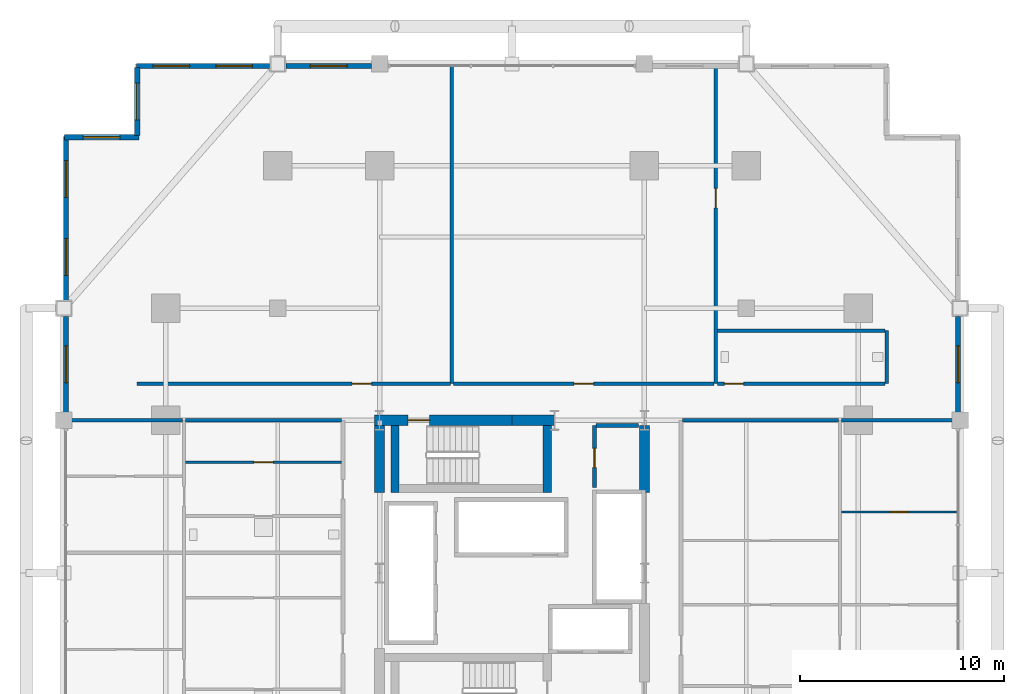
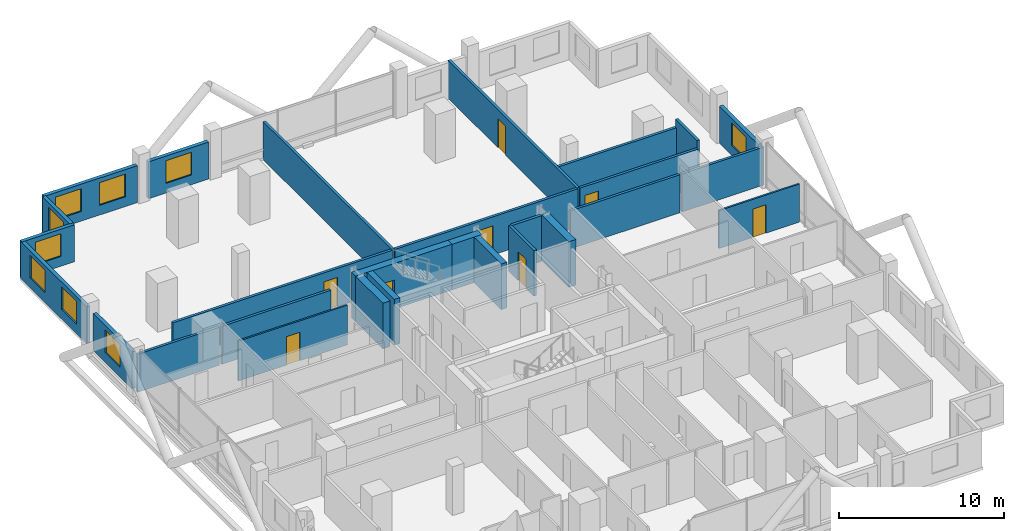
# One storey, part 24 of 27: 28 walls, 9 windows, 8 doors, 17 openings.
"""IFC4 building model written with IfcOpenShell, lengths in metres."""

from ifc_helpers import new_model, si_unit, direction, frame, frame_2d, origin, place, context, subcontext, project, spatial, rectangle, extrude, material, layer, layer_set, type_object, element, fill, save


model = new_model("IFC4")

# Units and contexts
model_context = context("Model", 3, precision=1e-05, world=origin(), true_north=direction((0.0, 1.0)))
body_context = subcontext(model_context, "Body", "Model", "MODEL_VIEW")
ifc_project = project(units=[si_unit("LENGTHUNIT", "METRE"), si_unit("AREAUNIT", "SQUARE_METRE"), si_unit("VOLUMEUNIT", "CUBIC_METRE"), si_unit("PLANEANGLEUNIT", "RADIAN"), si_unit("MASSUNIT", "GRAM", prefix="KILO")], contexts=[model_context])

# Site, building, storey
site_placement = place(None, origin())
site = spatial("IfcSite", under=ifc_project, at=site_placement, CompositionType="ELEMENT")
building_placement = place(site_placement, origin())
building = spatial("IfcBuilding", under=site, at=building_placement, Name="Barlavira Tower and Art Museum", CompositionType="ELEMENT")
storey_placement = place(building_placement, frame((0.0, 0.0, 50.39990234375)))
storey = spatial("IfcBuildingStorey", under=building, at=storey_placement, Name="L11", CompositionType="ELEMENT", Elevation=50.39990234375)

# Wall, opening, door
ifc_material_1 = material(Name="Gypsum acoustic stud partition", Category="gypsum")
ifc_layer_1 = layer(ifc_material_1, 0.1201171875, Name="Gypsum acoustic stud partition")
ifc_layer_set_1 = layer_set([ifc_layer_1], Name="Gypsum acoustic stud partition")
wall_type_1 = type_object("IfcWallType", Name="Apartment Internal Acoustic Partition 120", PredefinedType="PARTITIONING", material=ifc_layer_set_1)
wall_1_placement = place(storey_placement, frame((16.179931640625, 3.0, 0.0), z_axis=(0.0, 0.0, 1.0), x_axis=(1.0, 0.0, 0.0)))
wall_1 = element("IfcWall", 1, at=wall_1_placement, inside=storey, type_object=wall_type_1, Name="L11 Partition Wall 54", PredefinedType="PARTITIONING", context=body_context, shape_type="SweptSolid", body=[
    extrude(rectangle(XDim=5.64013671875, YDim=0.1201171875, at=frame_2d((2.820068359375, 0.0))), origin(), (0.0, 0.0, 1.0), 2.816162109375),
])
opening_1_placement = place(wall_1_placement, frame((2.3701171875, 0.0, 0.0)))
opening_1 = element("IfcOpeningElement", 2, at=opening_1_placement, cuts=wall_1, Name="Opening D-01", PredefinedType="OPENING", context=body_context, shape_type="SweptSolid", body=[
    extrude(rectangle(XDim=0.89990234375, YDim=2.10009765625, at=frame_2d((0.449951171875, 1.050048828125))), frame((0.0, 0.070068359375, 0.0), z_axis=(0.0, -1.0, 0.0), x_axis=(1.0, 0.0, 0.0)), (0.0, 0.0, 1.0), 0.14013671875),
])
ifc_material_2 = material(Name="Engineered coastal hardwood", Category="wood")
door_type_1 = type_object("IfcDoorType", Name="Internal Bedroom Timber Flush Door 900x2100", OperationType="NOTDEFINED", PredefinedType="DOOR", material=ifc_material_2)
door_1_placement = place(opening_1_placement, origin())
door_1 = element("IfcDoor", 3, at=door_1_placement, inside=storey, type_object=door_type_1, Name="Apartment E1 Bedroom 2 Door", OperationType="SINGLE_SWING_LEFT", OverallHeight=2.10009765625, OverallWidth=0.89990234375, PredefinedType="DOOR", context=body_context, shape_type="SweptSolid", body=[
    extrude(rectangle(XDim=0.89990234375, YDim=2.10009765625, at=frame_2d((0.449951171875, 1.050048828125))), frame((0.0, 0.02490234375, 0.0), z_axis=(0.0, -1.0, 0.0), x_axis=(1.0, 0.0, 0.0)), (0.0, 0.0, 1.0), 0.050048828125),
])
fill(opening_1, door_1)

wall_2_placement = place(storey_placement, frame((-16.02001953125, 5.449951171875, 0.0), z_axis=(0.0, 0.0, 1.0), x_axis=(1.0, 0.0, 0.0)))
wall_2 = element("IfcWall", 4, at=wall_2_placement, inside=storey, type_object=wall_type_1, Name="L11 Partition Wall 56", PredefinedType="PARTITIONING", context=body_context, shape_type="SweptSolid", body=[
    extrude(rectangle(XDim=7.64013671875, YDim=0.1201171875, at=frame_2d((3.820068359375, 0.0))), origin(), (0.0, 0.0, 1.0), 2.947998046875),
])
opening_2_placement = place(wall_2_placement, frame((3.344970703125, 0.0, 0.0)))
opening_2 = element("IfcOpeningElement", 5, at=opening_2_placement, cuts=wall_2, Name="Opening D-02", PredefinedType="OPENING", context=body_context, shape_type="SweptSolid", body=[
    extrude(rectangle(XDim=0.949951171875, YDim=2.10009765625, at=frame_2d((0.47509765625, 1.050048828125))), frame((0.0, 0.070068359375, 0.0), z_axis=(0.0, -1.0, 0.0), x_axis=(1.0, 0.0, 0.0)), (0.0, 0.0, 1.0), 0.14013671875),
])
door_type_2 = type_object("IfcDoorType", Name="Living and Salon Glazed-Leaf Door 950x2100", OperationType="NOTDEFINED", PredefinedType="DOOR", material=ifc_material_2)
door_2_placement = place(opening_2_placement, origin())
door_2 = element("IfcDoor", 6, at=door_2_placement, inside=storey, type_object=door_type_2, Name="Apartment W2 Kitchen Door", OperationType="SINGLE_SWING_RIGHT", OverallHeight=2.10009765625, OverallWidth=0.949951171875, PredefinedType="DOOR", context=body_context, shape_type="SweptSolid", body=[
    extrude(rectangle(XDim=0.949951171875, YDim=2.10009765625, at=frame_2d((0.47509765625, 1.050048828125))), frame((0.0, 0.02490234375, 0.0), z_axis=(0.0, -1.0, 0.0), x_axis=(1.0, 0.0, 0.0)), (0.0, 0.0, 1.0), 0.050048828125),
])
fill(opening_2, door_2)

ifc_material_3 = material(Name="Concrete C60", Category="concrete")
ifc_layer_2 = layer(ifc_material_3, 0.5, Name="Concrete C60")
ifc_layer_set_2 = layer_set([ifc_layer_2], Name="Concrete C60")
wall_type_2 = type_object("IfcWallType", Name="Core Structural Shear Wall 500 Concrete C60", PredefinedType="SHEAR", material=ifc_layer_set_2)
wall_3_placement = place(storey_placement, frame((-6.75, 7.5, 0.0), z_axis=(0.0, 0.0, 1.0), x_axis=(1.0, 0.0, 0.0)))
wall_3 = element("IfcWall", 7, at=wall_3_placement, inside=storey, type_object=wall_type_2, Name="L11 Core Shear Wall CS-NW", PredefinedType="SHEAR", context=body_context, shape_type="SweptSolid", body=[
    extrude(rectangle(XDim=6.75, YDim=0.5, at=frame_2d((3.375, 0.0))), origin(), (0.0, 0.0, 1.0), 3.380126953125),
])
opening_3_placement = place(wall_3_placement, frame((1.64990234375, 0.0, 0.0)))
opening_3 = element("IfcOpeningElement", 8, at=opening_3_placement, cuts=wall_3, Name="Opening FD-90", PredefinedType="OPENING", context=body_context, shape_type="SweptSolid", body=[
    extrude(rectangle(XDim=1.050048828125, YDim=2.14990234375, at=frame_2d((0.52490234375, 1.074951171875))), frame((0.0, 0.260009765625, 0.0), z_axis=(0.0, -1.0, 0.0), x_axis=(1.0, 0.0, 0.0)), (0.0, 0.0, 1.0), 0.52001953125),
])
ifc_material_4 = material(Name="Brushed stainless steel", Category="steel")
door_type_3 = type_object("IfcDoorType", Name="Stair and Refuge Fire Door 1050x2150 FD90S", OperationType="NOTDEFINED", PredefinedType="DOOR", material=ifc_material_4)
door_3_placement = place(opening_3_placement, origin())
door_3 = element("IfcDoor", 9, at=door_3_placement, inside=storey, type_object=door_type_3, Name="L11 Stair ST-T2 Fire Door", OperationType="SINGLE_SWING_LEFT", OverallHeight=2.14990234375, OverallWidth=1.050048828125, PredefinedType="DOOR", context=body_context, shape_type="SweptSolid", body=[
    extrude(rectangle(XDim=1.050048828125, YDim=2.14990234375, at=frame_2d((0.52490234375, 1.074951171875))), frame((0.0, 0.02490234375, 0.0), z_axis=(0.0, -1.0, 0.0), x_axis=(1.0, 0.0, 0.0)), (0.0, 0.0, 1.0), 0.050048828125),
])
fill(opening_3, door_3)

# Walls
wall_4_placement = place(storey_placement, frame((0.0, 7.5, 0.0), z_axis=(0.0, 0.0, 1.0), x_axis=(1.0, 0.0, 0.0)))
element("IfcWall", 10, at=wall_4_placement, inside=storey, type_object=wall_type_2, Name="L11 Core Shear Wall CS-EN", PredefinedType="SHEAR", context=body_context, shape_type="SweptSolid", body=[
    extrude(rectangle(XDim=2.080078125, YDim=0.5, at=frame_2d((1.0400390625, 0.0))), origin(), (0.0, 0.0, 1.0), 3.380126953125),
])
for number, where, z_axis, x_axis, name in (
    (11, (-6.5, 3.949951171875, 0.0), (0.0, 0.0, 1.0), (0.0, 1.0, 0.0), "L11 Core Shear Wall CS-W2"),
    (12, (6.5, 3.949951171875, 0.0), (0.0, 0.0, 1.0), (0.0, 1.0, 0.0), "L11 Core Shear Wall CS-E2"),
):
    element("IfcWall", number, at=place(storey_placement, frame(where, z_axis=z_axis, x_axis=x_axis)), inside=storey, type_object=wall_type_2, Name=name, PredefinedType="SHEAR", context=body_context, shape_type="SweptSolid", body=[
        extrude(rectangle(XDim=3.300048828125, YDim=0.5, at=frame_2d((1.64990234375, 0.0))), origin(), (0.0, 0.0, 1.0), 3.380126953125),
    ])

# Wall, opening, door
ifc_material_5 = material(Name="Autoclaved aerated concrete masonry", Category="masonry")
ifc_layer_3 = layer(ifc_material_5, 0.199951171875, Name="Autoclaved aerated concrete masonry")
ifc_layer_set_3 = layer_set([ifc_layer_3], Name="Autoclaved aerated concrete masonry")
wall_type_3 = type_object("IfcWallType", Name="Fire Compartment and Shaft Wall 200", PredefinedType="SOLIDWALL", material=ifc_layer_set_3)
wall_5_placement = place(storey_placement, frame((4.050048828125, 4.199951171875, 0.0), z_axis=(0.0, 0.0, 1.0), x_axis=(0.0, 1.0, 0.0)))
wall_5 = element("IfcWall", 13, at=wall_5_placement, inside=storey, type_object=wall_type_3, Name="L11 Partition Wall 12", PredefinedType="SOLIDWALL", context=body_context, shape_type="SweptSolid", body=[
    extrude(rectangle(XDim=3.050048828125, YDim=0.199951171875, at=frame_2d((1.52490234375, 0.0))), origin(), (0.0, 0.0, 1.0), 3.380126953125),
])
opening_4_placement = place(wall_5_placement, frame((0.97509765625, 0.0, 0.0)))
opening_4 = element("IfcOpeningElement", 14, at=opening_4_placement, cuts=wall_5, Name="Opening FD-60", PredefinedType="OPENING", context=body_context, shape_type="SweptSolid", body=[
    extrude(rectangle(XDim=0.949951171875, YDim=2.14990234375, at=frame_2d((0.47509765625, 1.074951171875))), frame((0.0, 0.10986328125, 0.0), z_axis=(0.0, -1.0, 0.0), x_axis=(1.0, 0.0, 0.0)), (0.0, 0.0, 1.0), 0.219970703125),
])
door_type_4 = type_object("IfcDoorType", Name="Apartment Entrance and Riser Fire Door 950x2150 FD60S", OperationType="NOTDEFINED", PredefinedType="DOOR", material=ifc_material_4)
door_4_placement = place(opening_4_placement, origin())
door_4 = element("IfcDoor", 15, at=door_4_placement, inside=storey, type_object=door_type_4, Name="Combined Electrical and Telecom Plant Room Door", OperationType="SINGLE_SWING_LEFT", OverallHeight=2.14990234375, OverallWidth=0.949951171875, PredefinedType="DOOR", context=body_context, shape_type="SweptSolid", body=[
    extrude(rectangle(XDim=0.949951171875, YDim=2.14990234375, at=frame_2d((0.47509765625, 1.074951171875))), frame((0.0, 0.02490234375, 0.0), z_axis=(0.0, -1.0, 0.0), x_axis=(1.0, 0.0, 0.0)), (0.0, 0.0, 1.0), 0.050048828125),
])
fill(opening_4, door_4)

# Walls
wall_6_placement = place(storey_placement, frame((4.1298828125, 7.25, 0.0), z_axis=(0.0, 0.0, 1.0), x_axis=(1.0, 0.0, 0.0)))
element("IfcWall", 16, at=wall_6_placement, inside=storey, type_object=wall_type_3, Name="L11 Partition Wall 57", PredefinedType="SOLIDWALL", context=body_context, shape_type="SweptSolid", body=[
    extrude(rectangle(XDim=2.070068359375, YDim=0.199951171875, at=frame_2d((1.03515625, 0.0))), origin(), (0.0, 0.0, 1.0), 3.380126953125),
])
ifc_layer_4 = layer(ifc_material_1, 0.179931640625, Name="Gypsum acoustic stud partition")
ifc_layer_set_4 = layer_set([ifc_layer_4], Name="Gypsum acoustic stud partition")
wall_type_4 = type_object("IfcWallType", Name="Inter-Tenancy Party Partition Wall 180", PredefinedType="PARTITIONING", material=ifc_layer_set_4)
wall_7_placement = place(storey_placement, frame((-2.949951171875, 9.300048828125, 0.0), z_axis=(0.0, 0.0, 1.0), x_axis=(0.0, 1.0, 0.0)))
element("IfcWall", 17, at=wall_7_placement, inside=storey, type_object=wall_type_4, Name="L11 Partition Wall 8", PredefinedType="PARTITIONING", context=body_context, shape_type="SweptSolid", body=[
    extrude(rectangle(XDim=15.599853515625, YDim=0.179931640625, at=frame_2d((7.7998046875, 0.0))), origin(), (0.0, 0.0, 1.0), 2.816162109375),
])

# Wall, opening, door
wall_8_placement = place(storey_placement, frame((10.0, 9.300048828125, 0.0), z_axis=(0.0, 0.0, 1.0), x_axis=(0.0, 1.0, 0.0)))
wall_8 = element("IfcWall", 18, at=wall_8_placement, inside=storey, type_object=wall_type_4, Name="L11 Partition Wall 15", PredefinedType="PARTITIONING", context=body_context, shape_type="SweptSolid", body=[
    extrude(rectangle(XDim=15.599853515625, YDim=0.179931640625, at=frame_2d((7.7998046875, 0.0))), origin(), (0.0, 0.0, 1.0), 2.816162109375),
])
opening_5_placement = place(wall_8_placement, frame((8.635009765625, 0.0, 0.0)))
opening_5 = element("IfcOpeningElement", 19, at=opening_5_placement, cuts=wall_8, Name="Opening FD-60", PredefinedType="OPENING", context=body_context, shape_type="SweptSolid", body=[
    extrude(rectangle(XDim=0.949951171875, YDim=2.14990234375, at=frame_2d((0.47509765625, 1.074951171875))), frame((0.0, 0.10009765625, 0.0), z_axis=(0.0, -1.0, 0.0), x_axis=(1.0, 0.0, 0.0)), (0.0, 0.0, 1.0), 0.199951171875),
])
door_5_placement = place(opening_5_placement, origin())
door_5 = element("IfcDoor", 20, at=door_5_placement, inside=storey, type_object=door_type_4, Name="Thermal Relaxation Lounge Door", OperationType="SINGLE_SWING_RIGHT", OverallHeight=2.14990234375, OverallWidth=0.949951171875, PredefinedType="DOOR", context=body_context, shape_type="SweptSolid", body=[
    extrude(rectangle(XDim=0.949951171875, YDim=2.14990234375, at=frame_2d((0.47509765625, 1.074951171875))), frame((0.0, 0.02490234375, 0.0), z_axis=(0.0, -1.0, 0.0), x_axis=(1.0, 0.0, 0.0)), (0.0, 0.0, 1.0), 0.050048828125),
])
fill(opening_5, door_5)

# Walls
wall_9_placement = place(storey_placement, frame((18.39990234375, 9.300048828125, 0.0), z_axis=(0.0, 0.0, 1.0), x_axis=(0.0, 1.0, 0.0)))
element("IfcWall", 21, at=wall_9_placement, inside=storey, type_object=wall_type_4, Name="L11 Partition Wall 20", PredefinedType="PARTITIONING", context=body_context, shape_type="SweptSolid", body=[
    extrude(rectangle(XDim=2.619873046875, YDim=0.179931640625, at=frame_2d((1.31005859375, 0.0))), origin(), (0.0, 0.0, 1.0), 3.380126953125),
])
wall_10_placement = place(storey_placement, frame((-21.89990234375, 7.5, 0.0), z_axis=(0.0, 0.0, 1.0), x_axis=(1.0, 0.0, 0.0)))
element("IfcWall", 22, at=wall_10_placement, inside=storey, type_object=wall_type_4, Name="L11 Partition Wall 58", PredefinedType="PARTITIONING", context=body_context, shape_type="SweptSolid", body=[
    extrude(rectangle(XDim=5.719970703125, YDim=0.179931640625, at=frame_2d((2.85986328125, 0.0))), origin(), (0.0, 0.0, 1.0), 2.816162109375),
])
for number, where, z_axis, x_axis, name in (
    (23, (-16.02001953125, 7.5, 0.0), (0.0, 0.0, 1.0), (1.0, 0.0, 0.0), "L11 Partition Wall 59"),
    (24, (8.3798828125, 7.5, 0.0), (0.0, 0.0, 1.0), (1.0, 0.0, 0.0), "L11 Partition Wall 60"),
):
    element("IfcWall", number, at=place(storey_placement, frame(where, z_axis=z_axis, x_axis=x_axis)), inside=storey, type_object=wall_type_4, Name=name, PredefinedType="PARTITIONING", context=body_context, shape_type="SweptSolid", body=[
        extrude(rectangle(XDim=7.64013671875, YDim=0.179931640625, at=frame_2d((3.820068359375, 0.0))), origin(), (0.0, 0.0, 1.0), 2.816162109375),
    ])
wall_11_placement = place(storey_placement, frame((16.179931640625, 7.5, 0.0), z_axis=(0.0, 0.0, 1.0), x_axis=(1.0, 0.0, 0.0)))
element("IfcWall", 25, at=wall_11_placement, inside=storey, type_object=wall_type_4, Name="L11 Partition Wall 61", PredefinedType="PARTITIONING", context=body_context, shape_type="SweptSolid", body=[
    extrude(rectangle(XDim=5.719970703125, YDim=0.179931640625, at=frame_2d((2.85986328125, 0.0))), origin(), (0.0, 0.0, 1.0), 2.816162109375),
])

# Wall, opening, door
wall_12_placement = place(storey_placement, frame((-18.39990234375, 9.300048828125, 0.0), z_axis=(0.0, 0.0, 1.0), x_axis=(1.0, 0.0, 0.0)))
wall_12 = element("IfcWall", 26, at=wall_12_placement, inside=storey, type_object=wall_type_4, Name="L11 Partition Wall 62", PredefinedType="PARTITIONING", context=body_context, shape_type="SweptSolid", body=[
    extrude(rectangle(XDim=15.369873046875, YDim=0.179931640625, at=frame_2d((7.68505859375, 0.0))), origin(), (0.0, 0.0, 1.0), 2.816162109375),
])
opening_6_placement = place(wall_12_placement, frame((10.554931640625, 0.0, 0.0)))
opening_6 = element("IfcOpeningElement", 27, at=opening_6_placement, cuts=wall_12, Name="Opening FD-60", PredefinedType="OPENING", context=body_context, shape_type="SweptSolid", body=[
    extrude(rectangle(XDim=0.949951171875, YDim=2.14990234375, at=frame_2d((0.47509765625, 1.074951171875))), frame((0.0, 0.10009765625, 0.0), z_axis=(0.0, -1.0, 0.0), x_axis=(1.0, 0.0, 0.0)), (0.0, 0.0, 1.0), 0.199951171875),
])
door_6_placement = place(opening_6_placement, origin())
door_6 = element("IfcDoor", 28, at=door_6_placement, inside=storey, type_object=door_type_4, Name="Resident Ocean-View Fitness Studio Door", OperationType="SINGLE_SWING_LEFT", OverallHeight=2.14990234375, OverallWidth=0.949951171875, PredefinedType="DOOR", context=body_context, shape_type="SweptSolid", body=[
    extrude(rectangle(XDim=0.949951171875, YDim=2.14990234375, at=frame_2d((0.47509765625, 1.074951171875))), frame((0.0, 0.02490234375, 0.0), z_axis=(0.0, -1.0, 0.0), x_axis=(1.0, 0.0, 0.0)), (0.0, 0.0, 1.0), 0.050048828125),
])
fill(opening_6, door_6)

wall_13_placement = place(storey_placement, frame((-2.8701171875, 9.300048828125, 0.0), z_axis=(0.0, 0.0, 1.0), x_axis=(1.0, 0.0, 0.0)))
wall_13 = element("IfcWall", 29, at=wall_13_placement, inside=storey, type_object=wall_type_4, Name="L11 Partition Wall 63", PredefinedType="PARTITIONING", context=body_context, shape_type="SweptSolid", body=[
    extrude(rectangle(XDim=12.7900390625, YDim=0.179931640625, at=frame_2d((6.39501953125, 0.0))), origin(), (0.0, 0.0, 1.0), 2.816162109375),
])
opening_7_placement = place(wall_13_placement, frame((5.925048828125, 0.0, 0.0)))
opening_7 = element("IfcOpeningElement", 30, at=opening_7_placement, cuts=wall_13, Name="Opening FD-60", PredefinedType="OPENING", context=body_context, shape_type="SweptSolid", body=[
    extrude(rectangle(XDim=0.949951171875, YDim=2.14990234375, at=frame_2d((0.47509765625, 1.074951171875))), frame((0.0, 0.10009765625, 0.0), z_axis=(0.0, -1.0, 0.0), x_axis=(1.0, 0.0, 0.0)), (0.0, 0.0, 1.0), 0.199951171875),
])
door_7_placement = place(opening_7_placement, origin())
door_7 = element("IfcDoor", 31, at=door_7_placement, inside=storey, type_object=door_type_4, Name="Coastal Hydrotherapy and Yoga Lounge Door", OperationType="SINGLE_SWING_RIGHT", OverallHeight=2.14990234375, OverallWidth=0.949951171875, PredefinedType="DOOR", context=body_context, shape_type="SweptSolid", body=[
    extrude(rectangle(XDim=0.949951171875, YDim=2.14990234375, at=frame_2d((0.47509765625, 1.074951171875))), frame((0.0, 0.02490234375, 0.0), z_axis=(0.0, -1.0, 0.0), x_axis=(1.0, 0.0, 0.0)), (0.0, 0.0, 1.0), 0.050048828125),
])
fill(opening_7, door_7)

wall_14_placement = place(storey_placement, frame((10.080078125, 9.300048828125, 0.0), z_axis=(0.0, 0.0, 1.0), x_axis=(1.0, 0.0, 0.0)))
wall_14 = element("IfcWall", 32, at=wall_14_placement, inside=storey, type_object=wall_type_4, Name="L11 Partition Wall 64", PredefinedType="PARTITIONING", context=body_context, shape_type="SweptSolid", body=[
    extrude(rectangle(XDim=8.239990234375, YDim=0.179931640625, at=frame_2d((4.1201171875, 0.0))), origin(), (0.0, 0.0, 1.0), 2.816162109375),
])
opening_8_placement = place(wall_14_placement, frame((0.344970703125, 0.0, 0.0)))
opening_8 = element("IfcOpeningElement", 33, at=opening_8_placement, cuts=wall_14, Name="Opening FD-60", PredefinedType="OPENING", context=body_context, shape_type="SweptSolid", body=[
    extrude(rectangle(XDim=0.949951171875, YDim=2.14990234375, at=frame_2d((0.47509765625, 1.074951171875))), frame((0.0, 0.10009765625, 0.0), z_axis=(0.0, -1.0, 0.0), x_axis=(1.0, 0.0, 0.0)), (0.0, 0.0, 1.0), 0.199951171875),
])
door_8_placement = place(opening_8_placement, origin())
door_8 = element("IfcDoor", 34, at=door_8_placement, inside=storey, type_object=door_type_4, Name="Wellness Changing and Accessible Shower WC Door", OperationType="SINGLE_SWING_LEFT", OverallHeight=2.14990234375, OverallWidth=0.949951171875, PredefinedType="DOOR", context=body_context, shape_type="SweptSolid", body=[
    extrude(rectangle(XDim=0.949951171875, YDim=2.14990234375, at=frame_2d((0.47509765625, 1.074951171875))), frame((0.0, 0.02490234375, 0.0), z_axis=(0.0, -1.0, 0.0), x_axis=(1.0, 0.0, 0.0)), (0.0, 0.0, 1.0), 0.050048828125),
])
fill(opening_8, door_8)

# Wall
wall_15_placement = place(storey_placement, frame((10.080078125, 11.89990234375, 0.0), z_axis=(0.0, 0.0, 1.0), x_axis=(1.0, 0.0, 0.0)))
element("IfcWall", 35, at=wall_15_placement, inside=storey, type_object=wall_type_4, Name="L11 Partition Wall 65", PredefinedType="PARTITIONING", context=body_context, shape_type="SweptSolid", body=[
    extrude(rectangle(XDim=8.239990234375, YDim=0.179931640625, at=frame_2d((4.1201171875, 0.0))), origin(), (0.0, 0.0, 1.0), 2.816162109375),
])

# Wall, opening, window
ifc_material_6 = material(Name="Precast concrete C40", Category="concrete")
ifc_layer_5 = layer(ifc_material_6, 0.25, Name="Precast concrete C40")
ifc_layer_set_5 = layer_set([ifc_layer_5], Name="Precast concrete C40")
wall_type_5 = type_object("IfcWallType", Name="Notched Corner Spandrel Wall 250 Precast Concrete C40", PredefinedType="SOLIDWALL", material=ifc_layer_set_5)
wall_16_placement = place(storey_placement, frame((-6.89501953125, 24.89990234375, 0.0), z_axis=(0.0, 0.0, 1.0), x_axis=(-1.0, 0.0, 0.0)))
wall_16 = element("IfcWall", 36, at=wall_16_placement, inside=storey, type_object=wall_type_5, Name="L11 Coastal Facade Pier Wall CW1-L11-N-4", PredefinedType="SOLIDWALL", context=body_context, shape_type="SweptSolid", body=[
    extrude(rectangle(XDim=4.2099609375, YDim=0.25, at=frame_2d((2.10498046875, 0.0))), origin(), (0.0, 0.0, 1.0), 2.736083984375),
])
opening_9_placement = place(wall_16_placement, frame((1.205078125, 0.0, 0.719970703125)))
opening_9 = element("IfcOpeningElement", 37, at=opening_9_placement, cuts=wall_16, Name="Opening WN-01", PredefinedType="OPENING", context=body_context, shape_type="SweptSolid", body=[
    extrude(rectangle(XDim=1.800048828125, YDim=1.679931640625, at=frame_2d((0.89990234375, 0.83984375))), frame((0.0, 0.135009765625, 0.0), z_axis=(0.0, -1.0, 0.0), x_axis=(1.0, 0.0, 0.0)), (0.0, 0.0, 1.0), 0.27001953125),
])
ifc_material_7 = material(Name="Low-iron coastal laminated glass", Category="glass")
window_type = type_object("IfcWindowType", Name="Recessed Notch Corner Punch Window 1800x1680", PartitioningType="SINGLE_PANEL", PredefinedType="WINDOW", material=ifc_material_7)
window_1_placement = place(opening_9_placement, origin())
window_1 = element("IfcWindow", 38, at=window_1_placement, inside=storey, type_object=window_type, Name="L11 Punched Facade Window EWP-CW1-L11-N-4-1", OverallHeight=1.679931640625, OverallWidth=1.800048828125, PartitioningType="SINGLE_PANEL", PredefinedType="WINDOW", context=body_context, shape_type="SweptSolid", body=[
    extrude(rectangle(XDim=1.800048828125, YDim=1.679931640625, at=frame_2d((0.89990234375, 0.83984375))), frame((0.0, 0.030029296875, 0.0), z_axis=(0.0, -1.0, 0.0), x_axis=(1.0, 0.0, 0.0)), (0.0, 0.0, 1.0), 0.06005859375),
])
fill(opening_9, window_1)

# Wall, openings, windows
wall_17_placement = place(storey_placement, frame((-11.89501953125, 24.89990234375, 0.0), z_axis=(0.0, 0.0, 1.0), x_axis=(-1.0, 0.0, 0.0)))
wall_17 = element("IfcWall", 39, at=wall_17_placement, inside=storey, type_object=wall_type_5, Name="L11 Coastal Facade Pier Wall CW1-L11-N-5", PredefinedType="SOLIDWALL", context=body_context, shape_type="SweptSolid", body=[
    extrude(rectangle(XDim=6.530029296875, YDim=0.25, at=frame_2d((3.26513671875, 0.0))), origin(), (0.0, 0.0, 1.0), 2.736083984375),
])
opening_10_placement = place(wall_17_placement, frame((0.845947265625, 0.0, 0.719970703125)))
opening_10 = element("IfcOpeningElement", 40, at=opening_10_placement, cuts=wall_17, Name="Opening WN-01", PredefinedType="OPENING", context=body_context, shape_type="SweptSolid", body=[
    extrude(rectangle(XDim=1.800048828125, YDim=1.679931640625, at=frame_2d((0.89990234375, 0.83984375))), frame((0.0, 0.135009765625, 0.0), z_axis=(0.0, -1.0, 0.0), x_axis=(1.0, 0.0, 0.0)), (0.0, 0.0, 1.0), 0.27001953125),
])
opening_11_placement = place(wall_17_placement, frame((3.928955078125, 0.0, 0.719970703125)))
opening_11 = element("IfcOpeningElement", 41, at=opening_11_placement, cuts=wall_17, Name="Opening WN-01", PredefinedType="OPENING", context=body_context, shape_type="SweptSolid", body=[
    extrude(rectangle(XDim=1.800048828125, YDim=1.679931640625, at=frame_2d((0.89990234375, 0.83984375))), frame((0.0, 0.135009765625, 0.0), z_axis=(0.0, -1.0, 0.0), x_axis=(1.0, 0.0, 0.0)), (0.0, 0.0, 1.0), 0.27001953125),
])
window_2_placement = place(opening_10_placement, origin())
window_2 = element("IfcWindow", 42, at=window_2_placement, inside=storey, type_object=window_type, Name="L11 Punched Facade Window EWP-CW1-L11-N-5-1", OverallHeight=1.679931640625, OverallWidth=1.800048828125, PartitioningType="SINGLE_PANEL", PredefinedType="WINDOW", context=body_context, shape_type="SweptSolid", body=[
    extrude(rectangle(XDim=1.800048828125, YDim=1.679931640625, at=frame_2d((0.89990234375, 0.83984375))), frame((0.0, 0.030029296875, 0.0), z_axis=(0.0, -1.0, 0.0), x_axis=(1.0, 0.0, 0.0)), (0.0, 0.0, 1.0), 0.06005859375),
])
fill(opening_10, window_2)
window_3_placement = place(opening_11_placement, origin())
window_3 = element("IfcWindow", 43, at=window_3_placement, inside=storey, type_object=window_type, Name="L11 Punched Facade Window EWP-CW1-L11-N-5-2", OverallHeight=1.679931640625, OverallWidth=1.800048828125, PartitioningType="SINGLE_PANEL", PredefinedType="WINDOW", context=body_context, shape_type="SweptSolid", body=[
    extrude(rectangle(XDim=1.800048828125, YDim=1.679931640625, at=frame_2d((0.89990234375, 0.83984375))), frame((0.0, 0.030029296875, 0.0), z_axis=(0.0, -1.0, 0.0), x_axis=(1.0, 0.0, 0.0)), (0.0, 0.0, 1.0), 0.06005859375),
])
fill(opening_11, window_3)

wall_18_placement = place(storey_placement, frame((-21.89990234375, 21.425048828125, 0.0), z_axis=(0.0, 0.0, 1.0), x_axis=(0.0, -1.0, 0.0)))
wall_18 = element("IfcWall", 44, at=wall_18_placement, inside=storey, type_object=wall_type_5, Name="L11 Coastal Facade Pier Wall CW1-L11-W-1", PredefinedType="SOLIDWALL", context=body_context, shape_type="SweptSolid", body=[
    extrude(rectangle(XDim=8.030029296875, YDim=0.25, at=frame_2d((4.01513671875, 0.0))), origin(), (0.0, 0.0, 1.0), 2.736083984375),
])
opening_12_placement = place(wall_18_placement, frame((1.176025390625, 0.0, 0.719970703125)))
opening_12 = element("IfcOpeningElement", 45, at=opening_12_placement, cuts=wall_18, Name="Opening WN-01", PredefinedType="OPENING", context=body_context, shape_type="SweptSolid", body=[
    extrude(rectangle(XDim=1.800048828125, YDim=1.679931640625, at=frame_2d((0.89990234375, 0.83984375))), frame((0.0, 0.135009765625, 0.0), z_axis=(0.0, -1.0, 0.0), x_axis=(1.0, 0.0, 0.0)), (0.0, 0.0, 1.0), 0.27001953125),
])
opening_13_placement = place(wall_18_placement, frame((5.009033203125, 0.0, 0.719970703125)))
opening_13 = element("IfcOpeningElement", 46, at=opening_13_placement, cuts=wall_18, Name="Opening WN-01", PredefinedType="OPENING", context=body_context, shape_type="SweptSolid", body=[
    extrude(rectangle(XDim=1.800048828125, YDim=1.679931640625, at=frame_2d((0.89990234375, 0.83984375))), frame((0.0, 0.135009765625, 0.0), z_axis=(0.0, -1.0, 0.0), x_axis=(1.0, 0.0, 0.0)), (0.0, 0.0, 1.0), 0.27001953125),
])
window_4_placement = place(opening_12_placement, origin())
window_4 = element("IfcWindow", 47, at=window_4_placement, inside=storey, type_object=window_type, Name="L11 Punched Facade Window EWP-CW1-L11-W-1-1", OverallHeight=1.679931640625, OverallWidth=1.800048828125, PartitioningType="SINGLE_PANEL", PredefinedType="WINDOW", context=body_context, shape_type="SweptSolid", body=[
    extrude(rectangle(XDim=1.800048828125, YDim=1.679931640625, at=frame_2d((0.89990234375, 0.83984375))), frame((0.0, 0.030029296875, 0.0), z_axis=(0.0, -1.0, 0.0), x_axis=(1.0, 0.0, 0.0)), (0.0, 0.0, 1.0), 0.06005859375),
])
fill(opening_12, window_4)
window_5_placement = place(opening_13_placement, origin())
window_5 = element("IfcWindow", 48, at=window_5_placement, inside=storey, type_object=window_type, Name="L11 Punched Facade Window EWP-CW1-L11-W-1-2", OverallHeight=1.679931640625, OverallWidth=1.800048828125, PartitioningType="SINGLE_PANEL", PredefinedType="WINDOW", context=body_context, shape_type="SweptSolid", body=[
    extrude(rectangle(XDim=1.800048828125, YDim=1.679931640625, at=frame_2d((0.89990234375, 0.83984375))), frame((0.0, 0.030029296875, 0.0), z_axis=(0.0, -1.0, 0.0), x_axis=(1.0, 0.0, 0.0)), (0.0, 0.0, 1.0), 0.06005859375),
])
fill(opening_13, window_5)

# Wall, opening, window
wall_19_placement = place(storey_placement, frame((-21.89990234375, 12.60498046875, 0.0), z_axis=(0.0, 0.0, 1.0), x_axis=(0.0, -1.0, 0.0)))
wall_19 = element("IfcWall", 49, at=wall_19_placement, inside=storey, type_object=wall_type_5, Name="L11 Coastal Facade Pier Wall CW1-L11-W-2", PredefinedType="SOLIDWALL", context=body_context, shape_type="SweptSolid", body=[
    extrude(rectangle(XDim=4.7099609375, YDim=0.25, at=frame_2d((2.35498046875, 0.0))), origin(), (0.0, 0.0, 1.0), 2.736083984375),
])
opening_14_placement = place(wall_19_placement, frame((1.455078125, 0.0, 0.719970703125)))
opening_14 = element("IfcOpeningElement", 50, at=opening_14_placement, cuts=wall_19, Name="Opening WN-01", PredefinedType="OPENING", context=body_context, shape_type="SweptSolid", body=[
    extrude(rectangle(XDim=1.800048828125, YDim=1.679931640625, at=frame_2d((0.89990234375, 0.83984375))), frame((0.0, 0.135009765625, 0.0), z_axis=(0.0, -1.0, 0.0), x_axis=(1.0, 0.0, 0.0)), (0.0, 0.0, 1.0), 0.27001953125),
])
window_6_placement = place(opening_14_placement, origin())
window_6 = element("IfcWindow", 51, at=window_6_placement, inside=storey, type_object=window_type, Name="L11 Punched Facade Window EWP-CW1-L11-W-2-1", OverallHeight=1.679931640625, OverallWidth=1.800048828125, PartitioningType="SINGLE_PANEL", PredefinedType="WINDOW", context=body_context, shape_type="SweptSolid", body=[
    extrude(rectangle(XDim=1.800048828125, YDim=1.679931640625, at=frame_2d((0.89990234375, 0.83984375))), frame((0.0, 0.030029296875, 0.0), z_axis=(0.0, -1.0, 0.0), x_axis=(1.0, 0.0, 0.0)), (0.0, 0.0, 1.0), 0.06005859375),
])
fill(opening_14, window_6)

wall_20_placement = place(storey_placement, frame((21.89990234375, 7.89501953125, 0.0), z_axis=(0.0, 0.0, 1.0), x_axis=(0.0, 1.0, 0.0)))
wall_20 = element("IfcWall", 52, at=wall_20_placement, inside=storey, type_object=wall_type_5, Name="L11 Coastal Facade Pier Wall CW1-L11-E-4", PredefinedType="SOLIDWALL", context=body_context, shape_type="SweptSolid", body=[
    extrude(rectangle(XDim=4.7099609375, YDim=0.25, at=frame_2d((2.35498046875, 0.0))), origin(), (0.0, 0.0, 1.0), 2.736083984375),
])
opening_15_placement = place(wall_20_placement, frame((1.455078125, 0.0, 0.719970703125)))
opening_15 = element("IfcOpeningElement", 53, at=opening_15_placement, cuts=wall_20, Name="Opening WN-01", PredefinedType="OPENING", context=body_context, shape_type="SweptSolid", body=[
    extrude(rectangle(XDim=1.800048828125, YDim=1.679931640625, at=frame_2d((0.89990234375, 0.83984375))), frame((0.0, 0.135009765625, 0.0), z_axis=(0.0, -1.0, 0.0), x_axis=(1.0, 0.0, 0.0)), (0.0, 0.0, 1.0), 0.27001953125),
])
window_7_placement = place(opening_15_placement, origin())
window_7 = element("IfcWindow", 54, at=window_7_placement, inside=storey, type_object=window_type, Name="L11 Punched Facade Window EWP-CW1-L11-E-4-1", OverallHeight=1.679931640625, OverallWidth=1.800048828125, PartitioningType="SINGLE_PANEL", PredefinedType="WINDOW", context=body_context, shape_type="SweptSolid", body=[
    extrude(rectangle(XDim=1.800048828125, YDim=1.679931640625, at=frame_2d((0.89990234375, 0.83984375))), frame((0.0, 0.030029296875, 0.0), z_axis=(0.0, -1.0, 0.0), x_axis=(1.0, 0.0, 0.0)), (0.0, 0.0, 1.0), 0.06005859375),
])
fill(opening_15, window_7)

wall_21_placement = place(storey_placement, frame((-18.39990234375, 24.820068359375, 0.0), z_axis=(0.0, 0.0, 1.0), x_axis=(0.0, -1.0, 0.0)))
wall_21 = element("IfcWall", 55, at=wall_21_placement, inside=storey, type_object=wall_type_5, Name="L11 Notch Corner Wall NW1", PredefinedType="SOLIDWALL", context=body_context, shape_type="SweptSolid", body=[
    extrude(rectangle(XDim=3.340087890625, YDim=0.25, at=frame_2d((1.669921875, 0.0))), origin(), (0.0, 0.0, 1.0), 2.736083984375),
])
opening_16_placement = place(wall_21_placement, frame((0.77001953125, 0.0, 0.719970703125)))
opening_16 = element("IfcOpeningElement", 56, at=opening_16_placement, cuts=wall_21, Name="Opening WN-01", PredefinedType="OPENING", context=body_context, shape_type="SweptSolid", body=[
    extrude(rectangle(XDim=1.800048828125, YDim=1.679931640625, at=frame_2d((0.89990234375, 0.83984375))), frame((0.0, 0.135009765625, 0.0), z_axis=(0.0, -1.0, 0.0), x_axis=(1.0, 0.0, 0.0)), (0.0, 0.0, 1.0), 0.27001953125),
])
window_8_placement = place(opening_16_placement, origin())
window_8 = element("IfcWindow", 57, at=window_8_placement, inside=storey, type_object=window_type, Name="L11 Punched Facade Window EW-NTC-L11-NW1-1", OverallHeight=1.679931640625, OverallWidth=1.800048828125, PartitioningType="SINGLE_PANEL", PredefinedType="WINDOW", context=body_context, shape_type="SweptSolid", body=[
    extrude(rectangle(XDim=1.800048828125, YDim=1.679931640625, at=frame_2d((0.89990234375, 0.83984375))), frame((0.0, 0.030029296875, 0.0), z_axis=(0.0, -1.0, 0.0), x_axis=(1.0, 0.0, 0.0)), (0.0, 0.0, 1.0), 0.06005859375),
])
fill(opening_16, window_8)

wall_22_placement = place(storey_placement, frame((-18.320068359375, 21.39990234375, 0.0), z_axis=(0.0, 0.0, 1.0), x_axis=(-1.0, 0.0, 0.0)))
wall_22 = element("IfcWall", 58, at=wall_22_placement, inside=storey, type_object=wall_type_5, Name="L11 Notch Corner Wall NW2", PredefinedType="SOLIDWALL", context=body_context, shape_type="SweptSolid", body=[
    extrude(rectangle(XDim=3.659912109375, YDim=0.25, at=frame_2d((1.830078125, 0.0))), origin(), (0.0, 0.0, 1.0), 2.736083984375),
])
opening_17_placement = place(wall_22_placement, frame((0.929931640625, 0.0, 0.719970703125)))
opening_17 = element("IfcOpeningElement", 59, at=opening_17_placement, cuts=wall_22, Name="Opening WN-01", PredefinedType="OPENING", context=body_context, shape_type="SweptSolid", body=[
    extrude(rectangle(XDim=1.800048828125, YDim=1.679931640625, at=frame_2d((0.89990234375, 0.83984375))), frame((0.0, 0.135009765625, 0.0), z_axis=(0.0, -1.0, 0.0), x_axis=(1.0, 0.0, 0.0)), (0.0, 0.0, 1.0), 0.27001953125),
])
window_9_placement = place(opening_17_placement, origin())
window_9 = element("IfcWindow", 60, at=window_9_placement, inside=storey, type_object=window_type, Name="L11 Punched Facade Window EW-NTC-L11-NW2-1", OverallHeight=1.679931640625, OverallWidth=1.800048828125, PartitioningType="SINGLE_PANEL", PredefinedType="WINDOW", context=body_context, shape_type="SweptSolid", body=[
    extrude(rectangle(XDim=1.800048828125, YDim=1.679931640625, at=frame_2d((0.89990234375, 0.83984375))), frame((0.0, 0.030029296875, 0.0), z_axis=(0.0, -1.0, 0.0), x_axis=(1.0, 0.0, 0.0)), (0.0, 0.0, 1.0), 0.06005859375),
])
fill(opening_17, window_9)

# Walls
ifc_material_8 = material(Name="Concrete C55", Category="concrete")
ifc_layer_6 = layer(ifc_material_8, 0.39990234375, Name="Concrete C55")
ifc_layer_set_6 = layer_set([ifc_layer_6], Name="Concrete C55")
wall_type_6 = type_object("IfcWallType", Name="Upper Core Shear Wall 400 Concrete C55", PredefinedType="SHEAR", material=ifc_layer_set_6)
for number, where, z_axis, x_axis, name in (
    (61, (1.72998046875, 3.949951171875, 0.0), (0.0, 0.0, 1.0), (0.0, 1.0, 0.0), "L11 ST-T2 East Half-Landing Wall"),
    (62, (-5.75, 3.949951171875, 0.0), (0.0, 0.0, 1.0), (0.0, 1.0, 0.0), "L11 ST-T2 West Shaft Wall"),
):
    element("IfcWall", number, at=place(storey_placement, frame(where, z_axis=z_axis, x_axis=x_axis)), inside=storey, type_object=wall_type_6, Name=name, PredefinedType="SHEAR", context=body_context, shape_type="SweptSolid", body=[
        extrude(rectangle(XDim=3.300048828125, YDim=0.39990234375, at=frame_2d((1.64990234375, 0.0))), origin(), (0.0, 0.0, 1.0), 3.380126953125),
    ])

save(model, "model.ifc")
